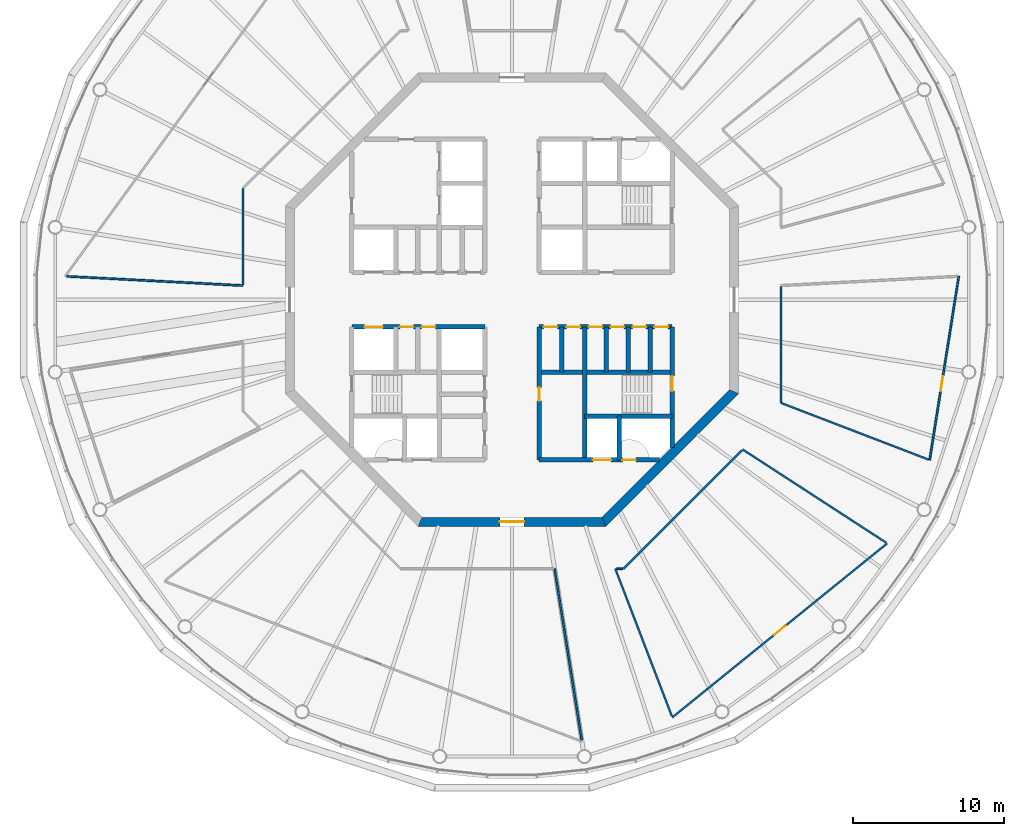
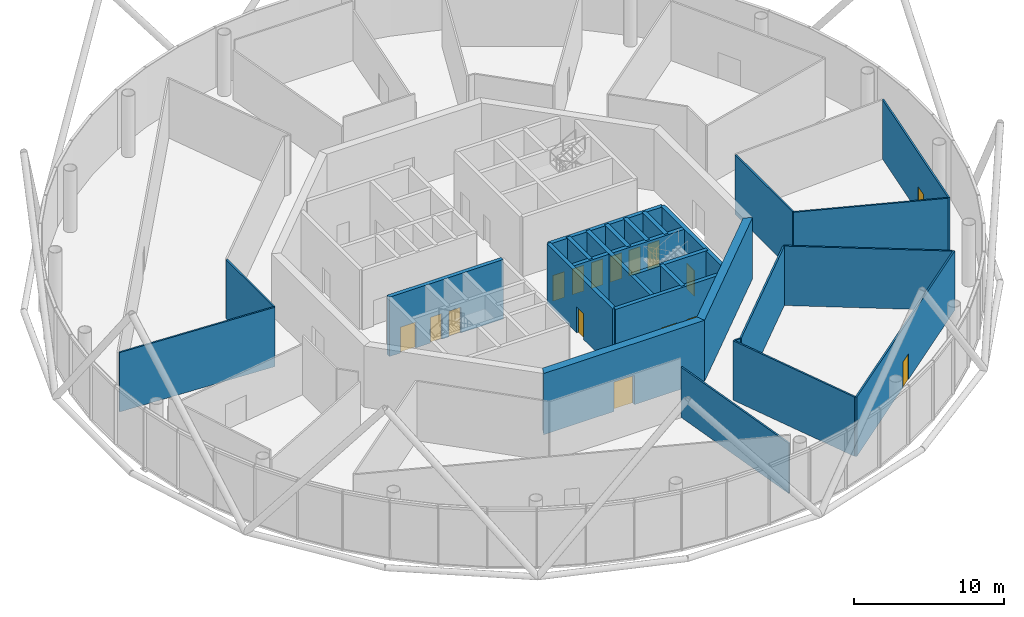
# One storey, part 4 of 13: 26 walls, 16 doors, 16 openings.
"""IFC4 building model written with IfcOpenShell, lengths in metres."""

import ifcopenshell
import ifcopenshell.guid

model = None  # the IFC model being written
_history = None  # IfcOwnerHistory: only IFC2X3 demands one
_inside = {}  # id of a spatial element -> (the spatial element, [elements in it])
_under = {}  # id of a project, library or spatial element -> (it, [spatial elements below it])
_declared = {}  # id of a project -> (the project, [libraries it declares])
_typed = {}  # id of a type object -> (the type object, [elements of that type])
_made_of = {}  # id of a material, layer set ... -> (it, [elements and type objects made of it])


def new_model(schema):
    """Start an empty IFC model of exactly this schema.

    Asked for "IFC4X3", IfcOpenShell would pick the latest addendum, in which some entities
    have other attributes; the version numbers below select the first issue.
    IFC2X3 requires an IfcOwnerHistory on every rooted entity: one is made here for all.
    """
    global model, _history
    if schema == "IFC4X3":
        model = ifcopenshell.file(schema_version=(4, 3, 0, 0))
    else:
        model = ifcopenshell.file(schema=schema)
    _inside.clear()
    _under.clear()
    _declared.clear()
    _typed.clear()
    _made_of.clear()
    _history = None
    if model.schema == "IFC2X3":
        org = make("IfcOrganization", Name="unknown")
        user = make(
            "IfcPersonAndOrganization",
            ThePerson=make("IfcPerson", FamilyName="unknown"),
            TheOrganization=org,
        )
        app = make(
            "IfcApplication",
            ApplicationDeveloper=org,
            Version="unknown",
            ApplicationFullName="unknown",
            ApplicationIdentifier="unknown",
        )
        _history = make(
            "IfcOwnerHistory",
            OwningUser=user,
            OwningApplication=app,
            ChangeAction="ADDED",
            CreationDate=0,
        )
    return model


def make(cls, **values):
    """One entity of the class cls with the attributes given. An attribute that is None is left unset."""
    return model.create_entity(
        cls, **{name: value for name, value in values.items() if value is not None}
    )


def rooted(cls, **values):
    """An entity with a GlobalId (a new one), such as an element, a storey or a relation."""
    return make(cls, GlobalId=ifcopenshell.guid.new(), OwnerHistory=_history, **values)


def si_unit(unit_type, name, prefix=None):
    """IfcSIUnit, for example si_unit("LENGTHUNIT", "METRE", prefix="MILLI")."""
    return make("IfcSIUnit", UnitType=unit_type, Prefix=prefix, Name=name)


def assignment(units):
    """IfcUnitAssignment: the units of a project."""
    return None if units is None else make("IfcUnitAssignment", Units=units)


def point(xyz):
    """IfcCartesianPoint."""
    return None if xyz is None else make("IfcCartesianPoint", Coordinates=xyz)


def direction(xyz):
    """IfcDirection."""
    return None if xyz is None else make("IfcDirection", DirectionRatios=xyz)


def frame(location, z_axis=None, x_axis=None):
    """IfcAxis2Placement3D, a coordinate frame: its origin and axes. An axis left out is left unset."""
    return make(
        "IfcAxis2Placement3D",
        Location=point(location),
        Axis=direction(z_axis),
        RefDirection=direction(x_axis),
    )


def frame_2d(location, x_axis=None):
    """IfcAxis2Placement2D, a coordinate frame in the plane: its origin and x axis."""
    return make(
        "IfcAxis2Placement2D", Location=point(location), RefDirection=direction(x_axis)
    )


def origin():
    """The frame at (0, 0, 0) with its axes left unset."""
    return frame((0.0, 0.0, 0.0))


def place(relative_to, where):
    """IfcLocalPlacement: puts the frame where relative to a parent placement (None: the world)."""
    return make(
        "IfcLocalPlacement", PlacementRelTo=relative_to, RelativePlacement=where
    )


def context(
    kind, dimensions, precision=None, world=None, true_north=None, identifier=None
):
    """IfcGeometricRepresentationContext, for example the 3D "Model" context."""
    return make(
        "IfcGeometricRepresentationContext",
        ContextIdentifier=identifier,
        ContextType=kind,
        CoordinateSpaceDimension=dimensions,
        Precision=precision,
        WorldCoordinateSystem=world,
        TrueNorth=true_north,
    )


def subcontext(parent, identifier, kind, view, scale=None):
    """IfcGeometricRepresentationSubContext, for example "Body" below "Model"."""
    return make(
        "IfcGeometricRepresentationSubContext",
        ContextIdentifier=identifier,
        ContextType=kind,
        ParentContext=parent,
        TargetScale=scale,
        TargetView=view,
    )


def project(units=None, contexts=None):
    """IfcProject with its units and contexts."""
    return rooted(
        "IfcProject",
        Name="project",
        RepresentationContexts=contexts,
        UnitsInContext=assignment(units),
    )


def spatial(cls, under=None, at=None, **own):
    """A site, building, storey or space (cls), placed at a placement, below another one or the project."""
    s = rooted(cls, ObjectPlacement=at, **own)
    if under is not None:
        _under.setdefault(under.id(), (under, []))[1].append(s)
    return s


def polyline(points):
    """IfcPolyline through the points."""
    return make("IfcPolyline", Points=[point(p) for p in points])


def profile(cls, at=None, kind="AREA", **sizes):
    """A parametric profile (cls). Its sizes go by their IFC names, for example OverallWidth=200.0."""
    return make(cls, ProfileType=kind, Position=at, **sizes)


def rectangle(**sizes):
    """IfcRectangleProfileDef."""
    return profile("IfcRectangleProfileDef", **sizes)


def outline(outer, holes=None, kind="AREA"):
    """IfcArbitraryClosedProfileDef: a profile drawn as a closed curve; with holes, ...WithVoids."""
    if holes is None:
        return make("IfcArbitraryClosedProfileDef", ProfileType=kind, OuterCurve=outer)
    return make(
        "IfcArbitraryProfileDefWithVoids",
        ProfileType=kind,
        OuterCurve=outer,
        InnerCurves=holes,
    )


def extrude(swept, where, along, depth):
    """IfcExtrudedAreaSolid: the profile swept, set in the frame where, extruded along a direction by depth."""
    return make(
        "IfcExtrudedAreaSolid",
        SweptArea=swept,
        Position=where,
        ExtrudedDirection=direction(along),
        Depth=depth,
    )


def shape(context_of_items, identifier, shape_type, items):
    """IfcShapeRepresentation: the items that make up one representation, for example the "Body"."""
    return make(
        "IfcShapeRepresentation",
        ContextOfItems=context_of_items,
        RepresentationIdentifier=identifier,
        RepresentationType=shape_type,
        Items=items,
    )


def material(Name=None, Category=None):
    """IfcMaterial."""
    return make("IfcMaterial", Name=Name, Category=Category)


def layer(
    of_material, thickness, ventilated=None, Name=None, Category=None, Priority=None
):
    """IfcMaterialLayer: one layer of a wall or slab, of a material (None: an air gap)."""
    return make(
        "IfcMaterialLayer",
        Material=of_material,
        LayerThickness=thickness,
        IsVentilated=ventilated,
        Name=Name,
        Category=Category,
        Priority=Priority,
    )


def layer_set(layers, Name=None):
    """IfcMaterialLayerSet."""
    return make("IfcMaterialLayerSet", MaterialLayers=layers, LayerSetName=Name)


def made_of(thing, what):
    """Note that an element or type object is made of a material, layer set ...; save() writes the relation."""
    if what is not None:
        _made_of.setdefault(what.id(), (what, []))[1].append(thing)
    return thing


def type_object(cls, material=None, **own):
    """A type object (cls), such as IfcWallType, which elements share."""
    return made_of(rooted(cls, **own), material)


def element(
    cls,
    number,
    at=None,
    inside=None,
    cuts=None,
    type_object=None,
    material=None,
    context=None,
    identifier="Body",
    shape_type=None,
    held_by="IfcProductDefinitionShape",
    body=None,
    shapes=None,
    **own,
):
    """One element of the class cls, such as IfcWall. Its Tag is "e" and its number.

    at: its placement. inside: the storey or other place that contains it. cuts: it is an
    opening in that element (IfcRelVoidsElement). A single representation is given by context,
    identifier, shape_type and body (its items); several are given by shapes. held_by: the class
    of the entity that holds the representations. save() writes the other relations.
    """
    e = rooted(cls, Tag="e%d" % number, ObjectPlacement=at, **own)
    if body is not None:
        shapes = [shape(context, identifier, shape_type, body)]
    if shapes is not None:
        e.Representation = make(held_by, Representations=shapes)
    if inside is not None:
        _inside.setdefault(inside.id(), (inside, []))[1].append(e)
    if cuts is not None:
        rooted(
            "IfcRelVoidsElement", RelatingBuildingElement=cuts, RelatedOpeningElement=e
        )
    if type_object is not None:
        _typed.setdefault(type_object.id(), (type_object, []))[1].append(e)
    return made_of(e, material)


def fill(opening, filler):
    """IfcRelFillsElement: the door or window that sits in an opening."""
    return rooted(
        "IfcRelFillsElement",
        RelatingOpeningElement=opening,
        RelatedBuildingElement=filler,
    )


def aggregate(whole, parts):
    """IfcRelAggregates: a whole, such as a stair, and the parts it consists of."""
    return rooted("IfcRelAggregates", RelatingObject=whole, RelatedObjects=parts)


def save(model, path):
    """Write the relations noted so far, then the file.

    IfcRelAggregates (storeys below a building ...), IfcRelContainedInSpatialStructure (elements
    in a storey), IfcRelDefinesByType, IfcRelAssociatesMaterial and IfcRelDeclares: one each for
    every whole, place, type object, material and project.
    """
    for whole, parts in _under.values():
        aggregate(whole, parts)
    for where, things in _inside.values():
        rooted(
            "IfcRelContainedInSpatialStructure",
            RelatedElements=things,
            RelatingStructure=where,
        )
    for kind, things in _typed.values():
        rooted("IfcRelDefinesByType", RelatedObjects=things, RelatingType=kind)
    for what, things in _made_of.values():
        rooted("IfcRelAssociatesMaterial", RelatedObjects=things, RelatingMaterial=what)
    for by, libraries in _declared.values():
        rooted("IfcRelDeclares", RelatingContext=by, RelatedDefinitions=libraries)
    model.write(path)


model = new_model("IFC4")

# Units and contexts
model_context = context("Model", 3, precision=1e-05, world=origin(), true_north=direction((0.0, 1.0)))
body_context = subcontext(model_context, "Body", "Model", "MODEL_VIEW")
ifc_project = project(units=[si_unit("LENGTHUNIT", "METRE"), si_unit("AREAUNIT", "SQUARE_METRE"), si_unit("VOLUMEUNIT", "CUBIC_METRE"), si_unit("PLANEANGLEUNIT", "RADIAN"), si_unit("MASSUNIT", "GRAM", prefix="KILO")], contexts=[model_context])

# Site, building, storey
site_placement = place(None, origin())
site = spatial("IfcSite", under=ifc_project, at=site_placement, CompositionType="ELEMENT")
building_placement = place(site_placement, origin())
building = spatial("IfcBuilding", under=site, at=building_placement, Name="Entoto Ring Tower", CompositionType="ELEMENT")
storey_placement = place(building_placement, frame((0.0, 0.0, 402.0)))
storey = spatial("IfcBuildingStorey", under=building, at=storey_placement, Name="L92", CompositionType="ELEMENT", Elevation=402.0)

# Wall, opening, door
ifc_material_1 = material(Name="Concrete C40/50", Category="concrete")
ifc_layer_1 = layer(ifc_material_1, 0.300048828125)
ifc_layer_set_1 = layer_set([ifc_layer_1], Name="Concrete C40/50")
wall_type_1 = type_object("IfcWallType", Name="Core enclosure wall 300 mm reinforced concrete", PredefinedType="SOLIDWALL", material=ifc_layer_set_1)
wall_1_placement = place(storey_placement, frame((100.60009765625, 70.2353515625, 0.0), z_axis=(0.0, 0.0, 1.0), x_axis=(0.0, 1.0, 0.0)))
wall_1 = element("IfcWall", 1, at=wall_1_placement, inside=storey, type_object=wall_type_1, Name="wall-L92-001", PredefinedType="SOLIDWALL", context=body_context, shape_type="SweptSolid", body=[
    extrude(rectangle(XDim=7.964599609375, YDim=0.300048828125, at=frame_2d((3.982421875, 0.0))), origin(), (0.0, 0.0, 1.0), 4.85009765625),
])
opening_1_placement = place(wall_1_placement, frame((3.714599609375, 0.0, 0.0)))
opening_1 = element("IfcOpeningElement", 2, at=opening_1_placement, cuts=wall_1, Name="Opening K-31", PredefinedType="OPENING", context=body_context, shape_type="SweptSolid", body=[
    extrude(rectangle(XDim=1.0, YDim=2.10009765625, at=frame_2d((0.5, 1.050048828125))), frame((0.0, 0.16015625, 0.0), z_axis=(0.0, -1.0, 0.0), x_axis=(1.0, 0.0, 0.0)), (0.0, 0.0, 1.0), 0.320068359375),
])
ifc_material_2 = material(Name="Steel door leaf, fire rated", Category="steel")
ifc_layer_2 = layer(ifc_material_2, 0.050048828125)
ifc_layer_set_2 = layer_set([ifc_layer_2], Name="Steel door leaf, fire rated")
door_type_1 = type_object("IfcDoorType", Name="Fire door FD60 1000 x 2100 single leaf", OperationType="NOTDEFINED", PredefinedType="DOOR", material=ifc_layer_set_2)
door_1_placement = place(opening_1_placement, origin())
door_1 = element("IfcDoor", 3, at=door_1_placement, inside=storey, type_object=door_type_1, Name="Door K-31", OperationType="SINGLE_SWING_RIGHT", OverallHeight=2.10009765625, OverallWidth=1.0, PredefinedType="DOOR", context=body_context, shape_type="SweptSolid", body=[
    extrude(rectangle(XDim=1.0, YDim=2.10009765625, at=frame_2d((0.5, 1.050048828125))), frame((0.0, 0.02490234375, 0.0), z_axis=(0.0, -1.0, 0.0), x_axis=(1.0, 0.0, 0.0)), (0.0, 0.0, 1.0), 0.050048828125),
])
fill(opening_1, door_1)

# Walls
for number, where, z_axis, x_axis, name in (
    (4, (99.14990234375, 75.199951171875, 0.0), (0.0, 0.0, 1.0), (0.0, 1.0, 0.0), "wall-L92-003"),
    (5, (97.699951171875, 75.199951171875, 0.0), (0.0, 0.0, 1.0), (0.0, 1.0, 0.0), "wall-L92-004"),
):
    element("IfcWall", number, at=place(storey_placement, frame(where, z_axis=z_axis, x_axis=x_axis)), inside=storey, type_object=wall_type_1, Name=name, PredefinedType="SOLIDWALL", context=body_context, shape_type="SweptSolid", body=[
        extrude(rectangle(XDim=3.0, YDim=0.300048828125, at=frame_2d((1.5, 0.0))), origin(), (0.0, 0.0, 1.0), 4.85009765625),
    ])
wall_2_placement = place(storey_placement, frame((97.10009765625, 69.39990234375, 0.0), z_axis=(0.0, 0.0, 1.0), x_axis=(0.0, 1.0, 0.0)))
element("IfcWall", 6, at=wall_2_placement, inside=storey, type_object=wall_type_1, Name="wall-L92-005", PredefinedType="SOLIDWALL", context=body_context, shape_type="SweptSolid", body=[
    extrude(rectangle(XDim=2.900146484375, YDim=0.300048828125, at=frame_2d((1.4501953125, 0.0))), origin(), (0.0, 0.0, 1.0), 4.85009765625),
])
wall_3_placement = place(storey_placement, frame((96.25, 75.199951171875, 0.0), z_axis=(0.0, 0.0, 1.0), x_axis=(0.0, 1.0, 0.0)))
element("IfcWall", 7, at=wall_3_placement, inside=storey, type_object=wall_type_1, Name="wall-L92-007", PredefinedType="SOLIDWALL", context=body_context, shape_type="SweptSolid", body=[
    extrude(rectangle(XDim=3.0, YDim=0.300048828125, at=frame_2d((1.5, 0.0))), origin(), (0.0, 0.0, 1.0), 4.85009765625),
])
wall_4_placement = place(storey_placement, frame((94.800048828125, 69.39990234375, 0.0), z_axis=(0.0, 0.0, 1.0), x_axis=(0.0, 1.0, 0.0)))
element("IfcWall", 8, at=wall_4_placement, inside=storey, type_object=wall_type_1, Name="wall-L92-008", PredefinedType="SOLIDWALL", context=body_context, shape_type="SweptSolid", body=[
    extrude(rectangle(XDim=8.800048828125, YDim=0.300048828125, at=frame_2d((4.39990234375, 0.0))), origin(), (0.0, 0.0, 1.0), 4.85009765625),
])
wall_5_placement = place(storey_placement, frame((93.300048828125, 75.199951171875, 0.0), z_axis=(0.0, 0.0, 1.0), x_axis=(0.0, 1.0, 0.0)))
element("IfcWall", 9, at=wall_5_placement, inside=storey, type_object=wall_type_1, Name="wall-L92-010", PredefinedType="SOLIDWALL", context=body_context, shape_type="SweptSolid", body=[
    extrude(rectangle(XDim=3.0, YDim=0.300048828125, at=frame_2d((1.5, 0.0))), origin(), (0.0, 0.0, 1.0), 4.85009765625),
])

# Wall, opening, door
wall_6_placement = place(storey_placement, frame((91.800048828125, 69.39990234375, 0.0), z_axis=(0.0, 0.0, 1.0), x_axis=(0.0, 1.0, 0.0)))
wall_6 = element("IfcWall", 10, at=wall_6_placement, inside=storey, type_object=wall_type_1, Name="wall-L92-011", PredefinedType="SOLIDWALL", context=body_context, shape_type="SweptSolid", body=[
    extrude(rectangle(XDim=8.800048828125, YDim=0.300048828125, at=frame_2d((4.39990234375, 0.0))), origin(), (0.0, 0.0, 1.0), 4.85009765625),
])
opening_2_placement = place(wall_6_placement, frame((3.89990234375, 0.0, 0.0)))
opening_2 = element("IfcOpeningElement", 11, at=opening_2_placement, cuts=wall_6, Name="Opening K-21", PredefinedType="OPENING", context=body_context, shape_type="SweptSolid", body=[
    extrude(rectangle(XDim=0.89990234375, YDim=2.10009765625, at=frame_2d((0.449951171875, 1.050048828125))), frame((0.0, 0.16015625, 0.0), z_axis=(0.0, -1.0, 0.0), x_axis=(1.0, 0.0, 0.0)), (0.0, 0.0, 1.0), 0.320068359375),
])
ifc_material_3 = material(Name="Steel door leaf, fire rated", Category="steel")
ifc_layer_3 = layer(ifc_material_3, 0.050048828125)
ifc_layer_set_3 = layer_set([ifc_layer_3], Name="Steel door leaf, fire rated")
door_type_2 = type_object("IfcDoorType", Name="Core door 900 x 2100 single leaf", OperationType="NOTDEFINED", PredefinedType="DOOR", material=ifc_layer_set_3)
door_2_placement = place(opening_2_placement, frame((0.89990234375, 0.0, 0.0), z_axis=(0.0, 0.0, 1.0), x_axis=(-1.0, 0.0, 0.0)))
door_2 = element("IfcDoor", 12, at=door_2_placement, inside=storey, type_object=door_type_2, Name="Door K-21", OperationType="SINGLE_SWING_LEFT", OverallHeight=2.10009765625, OverallWidth=0.89990234375, PredefinedType="DOOR", context=body_context, shape_type="SweptSolid", body=[
    extrude(rectangle(XDim=0.89990234375, YDim=2.10009765625, at=frame_2d((0.449951171875, 1.050048828125))), frame((0.0, 0.02490234375, 0.0), z_axis=(0.0, -1.0, 0.0), x_axis=(1.0, 0.0, 0.0)), (0.0, 0.0, 1.0), 0.050048828125),
])
fill(opening_2, door_2)

# Wall, openings, doors
wall_7_placement = place(storey_placement, frame((91.800048828125, 69.39990234375, 0.0), z_axis=(0.0, 0.0, 1.0), x_axis=(1.0, 0.0, 0.0)))
wall_7 = element("IfcWall", 13, at=wall_7_placement, inside=storey, type_object=wall_type_1, Name="wall-L92-026", PredefinedType="SOLIDWALL", context=body_context, shape_type="SweptSolid", body=[
    extrude(rectangle(XDim=7.964599609375, YDim=0.300048828125, at=frame_2d((3.982421875, 0.0))), origin(), (0.0, 0.0, 1.0), 4.85009765625),
])
opening_3_placement = place(wall_7_placement, frame((3.550048828125, 0.0, 0.0)))
opening_3 = element("IfcOpeningElement", 14, at=opening_3_placement, cuts=wall_7, Name="Opening LD", PredefinedType="OPENING", context=body_context, shape_type="SweptSolid", body=[
    extrude(rectangle(XDim=1.199951171875, YDim=2.10009765625, at=frame_2d((0.60009765625, 1.050048828125))), frame((0.0, 0.16015625, 0.0), z_axis=(0.0, -1.0, 0.0), x_axis=(1.0, 0.0, 0.0)), (0.0, 0.0, 1.0), 0.320068359375),
])
opening_4_placement = place(wall_7_placement, frame((5.5, 0.0, 0.0)))
opening_4 = element("IfcOpeningElement", 15, at=opening_4_placement, cuts=wall_7, Name="Opening K-34", PredefinedType="OPENING", context=body_context, shape_type="SweptSolid", body=[
    extrude(rectangle(XDim=0.89990234375, YDim=2.10009765625, at=frame_2d((0.449951171875, 1.050048828125))), frame((0.0, 0.16015625, 0.0), z_axis=(0.0, -1.0, 0.0), x_axis=(1.0, 0.0, 0.0)), (0.0, 0.0, 1.0), 0.320068359375),
])
ifc_material_4 = material(Name="Steel and glass door leaf", Category="steel")
ifc_layer_4 = layer(ifc_material_4, 0.050048828125)
ifc_layer_set_4 = layer_set([ifc_layer_4], Name="Steel and glass door leaf")
door_type_3 = type_object("IfcDoorType", Name="Landing door 1200 x 2100 sliding", OperationType="DOUBLE_DOOR_SLIDING", PredefinedType="DOOR", material=ifc_layer_set_4)
door_3_placement = place(opening_3_placement, origin())
door_3 = element("IfcDoor", 16, at=door_3_placement, inside=storey, type_object=door_type_3, Name="Landing door LB2-HR", OperationType="SLIDING_TO_RIGHT", OverallHeight=2.10009765625, OverallWidth=1.199951171875, PredefinedType="DOOR", context=body_context, shape_type="SweptSolid", body=[
    extrude(rectangle(XDim=1.199951171875, YDim=2.10009765625, at=frame_2d((0.60009765625, 1.050048828125))), frame((0.0, 0.02490234375, 0.0), z_axis=(0.0, -1.0, 0.0), x_axis=(1.0, 0.0, 0.0)), (0.0, 0.0, 1.0), 0.050048828125),
])
fill(opening_3, door_3)
ifc_material_5 = material(Name="Steel door leaf, fire rated", Category="steel")
ifc_layer_5 = layer(ifc_material_5, 0.050048828125)
ifc_layer_set_5 = layer_set([ifc_layer_5], Name="Steel door leaf, fire rated")
door_type_4 = type_object("IfcDoorType", Name="Riser door FD60 900 x 2100 single leaf", OperationType="NOTDEFINED", PredefinedType="DOOR", material=ifc_layer_set_5)
door_4_placement = place(opening_4_placement, origin())
door_4 = element("IfcDoor", 17, at=door_4_placement, inside=storey, type_object=door_type_4, Name="Door K-34", OperationType="SINGLE_SWING_LEFT", OverallHeight=2.10009765625, OverallWidth=0.89990234375, PredefinedType="DOOR", context=body_context, shape_type="SweptSolid", body=[
    extrude(rectangle(XDim=0.89990234375, YDim=2.10009765625, at=frame_2d((0.449951171875, 1.050048828125))), frame((0.0, 0.02490234375, 0.0), z_axis=(0.0, -1.0, 0.0), x_axis=(1.0, 0.0, 0.0)), (0.0, 0.0, 1.0), 0.050048828125),
])
fill(opening_4, door_4)

# Walls
wall_8_placement = place(storey_placement, frame((94.800048828125, 72.300048828125, 0.0), z_axis=(0.0, 0.0, 1.0), x_axis=(1.0, 0.0, 0.0)))
element("IfcWall", 18, at=wall_8_placement, inside=storey, type_object=wall_type_1, Name="wall-L92-028", PredefinedType="SOLIDWALL", context=body_context, shape_type="SweptSolid", body=[
    extrude(rectangle(XDim=5.800048828125, YDim=0.300048828125, at=frame_2d((2.89990234375, 0.0))), origin(), (0.0, 0.0, 1.0), 4.85009765625),
])
wall_9_placement = place(storey_placement, frame((91.800048828125, 75.199951171875, 0.0), z_axis=(0.0, 0.0, 1.0), x_axis=(1.0, 0.0, 0.0)))
element("IfcWall", 19, at=wall_9_placement, inside=storey, type_object=wall_type_1, Name="wall-L92-031", PredefinedType="SOLIDWALL", context=body_context, shape_type="SweptSolid", body=[
    extrude(rectangle(XDim=8.800048828125, YDim=0.300048828125, at=frame_2d((4.39990234375, 0.0))), origin(), (0.0, 0.0, 1.0), 4.85009765625),
])

# Wall, openings, doors
wall_10_placement = place(storey_placement, frame((79.39990234375, 78.199951171875, 0.0), z_axis=(0.0, 0.0, 1.0), x_axis=(1.0, 0.0, 0.0)))
wall_10 = element("IfcWall", 20, at=wall_10_placement, inside=storey, type_object=wall_type_1, Name="wall-L92-032", PredefinedType="SOLIDWALL", context=body_context, shape_type="SweptSolid", body=[
    extrude(rectangle(XDim=8.800048828125, YDim=0.300048828125, at=frame_2d((4.39990234375, 0.0))), origin(), (0.0, 0.0, 1.0), 4.85009765625),
])
opening_5_placement = place(wall_10_placement, frame((0.85009765625, 0.0, 0.0)))
opening_5 = element("IfcOpeningElement", 21, at=opening_5_placement, cuts=wall_10, Name="Opening LD", PredefinedType="OPENING", context=body_context, shape_type="SweptSolid", body=[
    extrude(rectangle(XDim=1.199951171875, YDim=2.10009765625, at=frame_2d((0.60009765625, 1.050048828125))), frame((0.0, 0.16015625, 0.0), z_axis=(0.0, -1.0, 0.0), x_axis=(1.0, 0.0, 0.0)), (0.0, 0.0, 1.0), 0.320068359375),
])
opening_6_placement = place(wall_10_placement, frame((3.175048828125, 0.0, 0.0)))
opening_6 = element("IfcOpeningElement", 22, at=opening_6_placement, cuts=wall_10, Name="Opening K-18", PredefinedType="OPENING", context=body_context, shape_type="SweptSolid", body=[
    extrude(rectangle(XDim=0.89990234375, YDim=2.10009765625, at=frame_2d((0.449951171875, 1.050048828125))), frame((0.0, 0.16015625, 0.0), z_axis=(0.0, -1.0, 0.0), x_axis=(1.0, 0.0, 0.0)), (0.0, 0.0, 1.0), 0.320068359375),
])
opening_7_placement = place(wall_10_placement, frame((4.625, 0.0, 0.0)))
opening_7 = element("IfcOpeningElement", 23, at=opening_7_placement, cuts=wall_10, Name="Opening K-19", PredefinedType="OPENING", context=body_context, shape_type="SweptSolid", body=[
    extrude(rectangle(XDim=0.89990234375, YDim=2.10009765625, at=frame_2d((0.449951171875, 1.050048828125))), frame((0.0, 0.16015625, 0.0), z_axis=(0.0, -1.0, 0.0), x_axis=(1.0, 0.0, 0.0)), (0.0, 0.0, 1.0), 0.320068359375),
])
door_5_placement = place(opening_6_placement, frame((0.89990234375, 0.0, 0.0), z_axis=(0.0, 0.0, 1.0), x_axis=(-1.0, 0.0, 0.0)))
door_5 = element("IfcDoor", 24, at=door_5_placement, inside=storey, type_object=door_type_2, Name="Door K-18", OperationType="SINGLE_SWING_LEFT", OverallHeight=2.10009765625, OverallWidth=0.89990234375, PredefinedType="DOOR", context=body_context, shape_type="SweptSolid", body=[
    extrude(rectangle(XDim=0.89990234375, YDim=2.10009765625, at=frame_2d((0.449951171875, 1.050048828125))), frame((0.0, 0.02490234375, 0.0), z_axis=(0.0, -1.0, 0.0), x_axis=(1.0, 0.0, 0.0)), (0.0, 0.0, 1.0), 0.050048828125),
])
fill(opening_6, door_5)
door_6_placement = place(opening_7_placement, frame((0.89990234375, 0.0, 0.0), z_axis=(0.0, 0.0, 1.0), x_axis=(-1.0, 0.0, 0.0)))
door_6 = element("IfcDoor", 25, at=door_6_placement, inside=storey, type_object=door_type_2, Name="Door K-19", OperationType="SINGLE_SWING_LEFT", OverallHeight=2.10009765625, OverallWidth=0.89990234375, PredefinedType="DOOR", context=body_context, shape_type="SweptSolid", body=[
    extrude(rectangle(XDim=0.89990234375, YDim=2.10009765625, at=frame_2d((0.449951171875, 1.050048828125))), frame((0.0, 0.02490234375, 0.0), z_axis=(0.0, -1.0, 0.0), x_axis=(1.0, 0.0, 0.0)), (0.0, 0.0, 1.0), 0.050048828125),
])
fill(opening_7, door_6)
door_7_placement = place(opening_5_placement, origin())
door_7 = element("IfcDoor", 26, at=door_7_placement, inside=storey, type_object=door_type_3, Name="Landing door SH2", OperationType="SLIDING_TO_RIGHT", OverallHeight=2.10009765625, OverallWidth=1.199951171875, PredefinedType="DOOR", context=body_context, shape_type="SweptSolid", body=[
    extrude(rectangle(XDim=1.199951171875, YDim=2.10009765625, at=frame_2d((0.60009765625, 1.050048828125))), frame((0.0, 0.02490234375, 0.0), z_axis=(0.0, -1.0, 0.0), x_axis=(1.0, 0.0, 0.0)), (0.0, 0.0, 1.0), 0.050048828125),
])
fill(opening_5, door_7)

wall_11_placement = place(storey_placement, frame((91.800048828125, 78.199951171875, 0.0), z_axis=(0.0, 0.0, 1.0), x_axis=(1.0, 0.0, 0.0)))
wall_11 = element("IfcWall", 27, at=wall_11_placement, inside=storey, type_object=wall_type_1, Name="wall-L92-033", PredefinedType="SOLIDWALL", context=body_context, shape_type="SweptSolid", body=[
    extrude(rectangle(XDim=8.800048828125, YDim=0.300048828125, at=frame_2d((4.39990234375, 0.0))), origin(), (0.0, 0.0, 1.0), 4.85009765625),
])
opening_8_placement = place(wall_11_placement, frame((3.27490234375, 0.0, 0.0)))
opening_8 = element("IfcOpeningElement", 28, at=opening_8_placement, cuts=wall_11, Name="Opening K-14", PredefinedType="OPENING", context=body_context, shape_type="SweptSolid", body=[
    extrude(rectangle(XDim=0.89990234375, YDim=2.10009765625, at=frame_2d((0.449951171875, 1.050048828125))), frame((0.0, 0.16015625, 0.0), z_axis=(0.0, -1.0, 0.0), x_axis=(1.0, 0.0, 0.0)), (0.0, 0.0, 1.0), 0.320068359375),
])
opening_9_placement = place(wall_11_placement, frame((4.72509765625, 0.0, 0.0)))
opening_9 = element("IfcOpeningElement", 29, at=opening_9_placement, cuts=wall_11, Name="Opening K-15", PredefinedType="OPENING", context=body_context, shape_type="SweptSolid", body=[
    extrude(rectangle(XDim=0.89990234375, YDim=2.10009765625, at=frame_2d((0.449951171875, 1.050048828125))), frame((0.0, 0.16015625, 0.0), z_axis=(0.0, -1.0, 0.0), x_axis=(1.0, 0.0, 0.0)), (0.0, 0.0, 1.0), 0.320068359375),
])
opening_10_placement = place(wall_11_placement, frame((6.175048828125, 0.0, 0.0)))
opening_10 = element("IfcOpeningElement", 30, at=opening_10_placement, cuts=wall_11, Name="Opening K-16", PredefinedType="OPENING", context=body_context, shape_type="SweptSolid", body=[
    extrude(rectangle(XDim=0.89990234375, YDim=2.10009765625, at=frame_2d((0.449951171875, 1.050048828125))), frame((0.0, 0.16015625, 0.0), z_axis=(0.0, -1.0, 0.0), x_axis=(1.0, 0.0, 0.0)), (0.0, 0.0, 1.0), 0.320068359375),
])
opening_11_placement = place(wall_11_placement, frame((7.625, 0.0, 0.0)))
opening_11 = element("IfcOpeningElement", 31, at=opening_11_placement, cuts=wall_11, Name="Opening K-57", PredefinedType="OPENING", context=body_context, shape_type="SweptSolid", body=[
    extrude(rectangle(XDim=0.89990234375, YDim=2.10009765625, at=frame_2d((0.449951171875, 1.050048828125))), frame((0.0, 0.16015625, 0.0), z_axis=(0.0, -1.0, 0.0), x_axis=(1.0, 0.0, 0.0)), (0.0, 0.0, 1.0), 0.320068359375),
])
opening_12_placement = place(wall_11_placement, frame((0.300048828125, 0.0, 0.0)))
opening_12 = element("IfcOpeningElement", 32, at=opening_12_placement, cuts=wall_11, Name="Opening K-79", PredefinedType="OPENING", context=body_context, shape_type="SweptSolid", body=[
    extrude(rectangle(XDim=0.89990234375, YDim=2.10009765625, at=frame_2d((0.449951171875, 1.050048828125))), frame((0.0, 0.16015625, 0.0), z_axis=(0.0, -1.0, 0.0), x_axis=(1.0, 0.0, 0.0)), (0.0, 0.0, 1.0), 0.320068359375),
])
opening_13_placement = place(wall_11_placement, frame((1.800048828125, 0.0, 0.0)))
opening_13 = element("IfcOpeningElement", 33, at=opening_13_placement, cuts=wall_11, Name="Opening K-81", PredefinedType="OPENING", context=body_context, shape_type="SweptSolid", body=[
    extrude(rectangle(XDim=0.89990234375, YDim=2.10009765625, at=frame_2d((0.449951171875, 1.050048828125))), frame((0.0, 0.16015625, 0.0), z_axis=(0.0, -1.0, 0.0), x_axis=(1.0, 0.0, 0.0)), (0.0, 0.0, 1.0), 0.320068359375),
])
door_8_placement = place(opening_8_placement, frame((0.89990234375, 0.0, 0.0), z_axis=(0.0, 0.0, 1.0), x_axis=(-1.0, 0.0, 0.0)))
door_8 = element("IfcDoor", 34, at=door_8_placement, inside=storey, type_object=door_type_2, Name="Door K-14", OperationType="SINGLE_SWING_LEFT", OverallHeight=2.10009765625, OverallWidth=0.89990234375, PredefinedType="DOOR", context=body_context, shape_type="SweptSolid", body=[
    extrude(rectangle(XDim=0.89990234375, YDim=2.10009765625, at=frame_2d((0.449951171875, 1.050048828125))), frame((0.0, 0.02490234375, 0.0), z_axis=(0.0, -1.0, 0.0), x_axis=(1.0, 0.0, 0.0)), (0.0, 0.0, 1.0), 0.050048828125),
])
fill(opening_8, door_8)
door_9_placement = place(opening_9_placement, frame((0.89990234375, 0.0, 0.0), z_axis=(0.0, 0.0, 1.0), x_axis=(-1.0, 0.0, 0.0)))
door_9 = element("IfcDoor", 35, at=door_9_placement, inside=storey, type_object=door_type_2, Name="Door K-15", OperationType="SINGLE_SWING_RIGHT", OverallHeight=2.10009765625, OverallWidth=0.89990234375, PredefinedType="DOOR", context=body_context, shape_type="SweptSolid", body=[
    extrude(rectangle(XDim=0.89990234375, YDim=2.10009765625, at=frame_2d((0.449951171875, 1.050048828125))), frame((0.0, 0.02490234375, 0.0), z_axis=(0.0, -1.0, 0.0), x_axis=(1.0, 0.0, 0.0)), (0.0, 0.0, 1.0), 0.050048828125),
])
fill(opening_9, door_9)
door_10_placement = place(opening_10_placement, frame((0.89990234375, 0.0, 0.0), z_axis=(0.0, 0.0, 1.0), x_axis=(-1.0, 0.0, 0.0)))
door_10 = element("IfcDoor", 36, at=door_10_placement, inside=storey, type_object=door_type_2, Name="Door K-16", OperationType="SINGLE_SWING_RIGHT", OverallHeight=2.10009765625, OverallWidth=0.89990234375, PredefinedType="DOOR", context=body_context, shape_type="SweptSolid", body=[
    extrude(rectangle(XDim=0.89990234375, YDim=2.10009765625, at=frame_2d((0.449951171875, 1.050048828125))), frame((0.0, 0.02490234375, 0.0), z_axis=(0.0, -1.0, 0.0), x_axis=(1.0, 0.0, 0.0)), (0.0, 0.0, 1.0), 0.050048828125),
])
fill(opening_10, door_10)
door_11_placement = place(opening_11_placement, frame((0.89990234375, 0.0, 0.0), z_axis=(0.0, 0.0, 1.0), x_axis=(-1.0, 0.0, 0.0)))
door_11 = element("IfcDoor", 37, at=door_11_placement, inside=storey, type_object=door_type_2, Name="Door K-57", OperationType="SINGLE_SWING_RIGHT", OverallHeight=2.10009765625, OverallWidth=0.89990234375, PredefinedType="DOOR", context=body_context, shape_type="SweptSolid", body=[
    extrude(rectangle(XDim=0.89990234375, YDim=2.10009765625, at=frame_2d((0.449951171875, 1.050048828125))), frame((0.0, 0.02490234375, 0.0), z_axis=(0.0, -1.0, 0.0), x_axis=(1.0, 0.0, 0.0)), (0.0, 0.0, 1.0), 0.050048828125),
])
fill(opening_11, door_11)
door_12_placement = place(opening_12_placement, frame((0.89990234375, 0.0, 0.0), z_axis=(0.0, 0.0, 1.0), x_axis=(-1.0, 0.0, 0.0)))
door_12 = element("IfcDoor", 38, at=door_12_placement, inside=storey, type_object=door_type_2, Name="Door K-79", OperationType="SINGLE_SWING_RIGHT", OverallHeight=2.10009765625, OverallWidth=0.89990234375, PredefinedType="DOOR", context=body_context, shape_type="SweptSolid", body=[
    extrude(rectangle(XDim=0.89990234375, YDim=2.10009765625, at=frame_2d((0.449951171875, 1.050048828125))), frame((0.0, 0.02490234375, 0.0), z_axis=(0.0, -1.0, 0.0), x_axis=(1.0, 0.0, 0.0)), (0.0, 0.0, 1.0), 0.050048828125),
])
fill(opening_12, door_12)
door_13_placement = place(opening_13_placement, frame((0.89990234375, 0.0, 0.0), z_axis=(0.0, 0.0, 1.0), x_axis=(-1.0, 0.0, 0.0)))
door_13 = element("IfcDoor", 39, at=door_13_placement, inside=storey, type_object=door_type_2, Name="Door K-81", OperationType="SINGLE_SWING_RIGHT", OverallHeight=2.10009765625, OverallWidth=0.89990234375, PredefinedType="DOOR", context=body_context, shape_type="SweptSolid", body=[
    extrude(rectangle(XDim=0.89990234375, YDim=2.10009765625, at=frame_2d((0.449951171875, 1.050048828125))), frame((0.0, 0.02490234375, 0.0), z_axis=(0.0, -1.0, 0.0), x_axis=(1.0, 0.0, 0.0)), (0.0, 0.0, 1.0), 0.050048828125),
])
fill(opening_13, door_13)

# Wall, opening, door
ifc_material_6 = material(Name="Concrete C40/50", Category="concrete")
ifc_layer_6 = layer(ifc_material_6, 0.60009765625)
ifc_layer_set_6 = layer_set([ifc_layer_6], Name="Concrete C40/50")
wall_type_2 = type_object("IfcWallType", Name="Core shear wall 600 mm reinforced concrete C40/50", PredefinedType="SHEAR", material=ifc_layer_set_6)
wall_12_placement = place(storey_placement, frame((83.9111328125, 65.300048828125, 0.0), z_axis=(0.0, 0.0, 1.0), x_axis=(1.0, 0.0, 0.0)))
wall_12 = element("IfcWall", 40, at=wall_12_placement, inside=storey, type_object=wall_type_2, Name="wall-L92-core-6", PredefinedType="SHEAR", context=body_context, shape_type="SweptSolid", body=[
    extrude(outline(polyline([(-0.124267578125, -0.300048828125), (12.302001953125, -0.300048828125), (12.053466796875, 0.300048828125), (0.124267578125, 0.300048828125), (-0.124267578125, -0.300048828125)])), origin(), (0.0, 0.0, 1.0), 5.0),
])
opening_14_placement = place(wall_12_placement, frame((5.288818359375, 0.0, 0.0)))
opening_14 = element("IfcOpeningElement", 41, at=opening_14_placement, cuts=wall_12, Name="Opening K-04", PredefinedType="OPENING", context=body_context, shape_type="SweptSolid", body=[
    extrude(rectangle(XDim=1.60009765625, YDim=2.39990234375, at=frame_2d((0.800048828125, 1.199951171875))), frame((0.0, 0.31005859375, 0.0), z_axis=(0.0, -1.0, 0.0), x_axis=(1.0, 0.0, 0.0)), (0.0, 0.0, 1.0), 0.6201171875),
])
ifc_material_7 = material(Name="Steel door leaf, fire rated", Category="steel")
ifc_layer_7 = layer(ifc_material_7, 0.050048828125)
ifc_layer_set_7 = layer_set([ifc_layer_7], Name="Steel door leaf, fire rated")
door_type_5 = type_object("IfcDoorType", Name="Entrance door FD60 1600 x 2400 double leaf", OperationType="DOUBLE_DOOR_SINGLE_SWING", PredefinedType="DOOR", material=ifc_layer_set_7)
door_14_placement = place(opening_14_placement, origin())
door_14 = element("IfcDoor", 42, at=door_14_placement, inside=storey, type_object=door_type_5, Name="Entrance door K-04", OperationType="DOUBLE_DOOR_SINGLE_SWING", OverallHeight=2.39990234375, OverallWidth=1.60009765625, PredefinedType="DOOR", context=body_context, shape_type="SweptSolid", body=[
    extrude(rectangle(XDim=1.60009765625, YDim=2.39990234375, at=frame_2d((0.800048828125, 1.199951171875))), frame((0.0, 0.02490234375, 0.0), z_axis=(0.0, -1.0, 0.0), x_axis=(1.0, 0.0, 0.0)), (0.0, 0.0, 1.0), 0.050048828125),
])
fill(opening_14, door_14)

# Wall
wall_13_placement = place(storey_placement, frame((96.0888671875, 65.300048828125, 0.0), z_axis=(0.0, 0.0, 1.0), x_axis=(0.707106781187, 0.707106781187, 0.0)))
element("IfcWall", 43, at=wall_13_placement, inside=storey, type_object=wall_type_2, Name="wall-L92-core-7", PredefinedType="SHEAR", context=body_context, shape_type="SweptSolid", body=[
    extrude(outline(polyline([(-0.124267578125, -0.300048828125), (12.30224609375, -0.300048828125), (12.0537109375, 0.300048828125), (0.124267578125, 0.300048828125), (-0.124267578125, -0.300048828125)])), origin(), (0.0, 0.0, 1.0), 5.0),
])

# Wall, opening, door
ifc_material_8 = material(Name="Fire-resisting plasterboard on steel studs", Category="steel")
ifc_layer_8 = layer(ifc_material_8, 0.125)
ifc_layer_set_8 = layer_set([ifc_layer_8], Name="Fire-resisting plasterboard on steel studs")
wall_type_3 = type_object("IfcWallType", Name="Corridor wall 125 mm one-hour plasterboard on steel studs", PredefinedType="PARTITIONING", material=ifc_layer_set_8)
wall_14_placement = place(storey_placement, frame((100.607666015625, 52.365966796875, 0.0), z_axis=(0.0, 0.0, 1.0), x_axis=(0.777146964024, 0.629319152981, 0.0)))
wall_14 = element("IfcWall", 44, at=wall_14_placement, inside=storey, type_object=wall_type_3, Name="partition-L92-003", PredefinedType="PARTITIONING", context=body_context, shape_type="SweptSolid", body=[
    extrude(rectangle(XDim=18.2939453125, YDim=0.125, at=frame_2d((9.14697265625, 0.0))), origin(), (0.0, 0.0, 1.0), 4.85009765625),
])
opening_15_placement = place(wall_14_placement, frame((8.64697265625, 0.0, 0.0)))
opening_15 = element("IfcOpeningElement", 45, at=opening_15_placement, cuts=wall_14, Name="Opening A40-D07", PredefinedType="OPENING", context=body_context, shape_type="SweptSolid", body=[
    extrude(rectangle(XDim=1.0, YDim=2.10009765625, at=frame_2d((0.5, 1.050048828125))), frame((0.0, 0.072509765625, 0.0), z_axis=(0.0, -1.0, 0.0), x_axis=(1.0, 0.0, 0.0)), (0.0, 0.0, 1.0), 0.14501953125),
])
ifc_material_9 = material(Name="Fire-resisting timber door set", Category="wood")
door_type_6 = type_object("IfcDoorType", Name="Door 1000 x 2100 single leaf FD30S fire door", OperationType="NOTDEFINED", PredefinedType="DOOR", material=ifc_material_9)
door_15_placement = place(opening_15_placement, origin())
door_15 = element("IfcDoor", 46, at=door_15_placement, inside=storey, type_object=door_type_6, Name="Door A40-D07", OperationType="SINGLE_SWING_RIGHT", OverallHeight=2.10009765625, OverallWidth=1.0, PredefinedType="DOOR", context=body_context, shape_type="SweptSolid", body=[
    extrude(rectangle(XDim=1.0, YDim=2.10009765625, at=frame_2d((0.5, 1.050048828125))), frame((0.0, 0.02490234375, 0.0), z_axis=(0.0, -1.0, 0.0), x_axis=(1.0, 0.0, 0.0)), (0.0, 0.0, 1.0), 0.050048828125),
])
fill(opening_15, door_15)

wall_15_placement = place(storey_placement, frame((117.634033203125, 69.392333984375, 0.0), z_axis=(0.0, 0.0, 1.0), x_axis=(0.156422955164, 0.987690163512, 0.0)))
wall_15 = element("IfcWall", 47, at=wall_15_placement, inside=storey, type_object=wall_type_3, Name="partition-L92-006", PredefinedType="PARTITIONING", context=body_context, shape_type="SweptSolid", body=[
    extrude(rectangle(XDim=12.308349609375, YDim=0.125, at=frame_2d((6.154296875, 0.0))), origin(), (0.0, 0.0, 1.0), 4.85009765625),
])
opening_16_placement = place(wall_15_placement, frame((4.61328125, 0.0, 0.0)))
opening_16 = element("IfcOpeningElement", 48, at=opening_16_placement, cuts=wall_15, Name="Opening A40-D08", PredefinedType="OPENING", context=body_context, shape_type="SweptSolid", body=[
    extrude(rectangle(XDim=1.0, YDim=2.10009765625, at=frame_2d((0.5, 1.050048828125))), frame((0.0, 0.072509765625, 0.0), z_axis=(0.0, -1.0, 0.0), x_axis=(1.0, 0.0, 0.0)), (0.0, 0.0, 1.0), 0.14501953125),
])
door_16_placement = place(opening_16_placement, origin())
door_16 = element("IfcDoor", 49, at=door_16_placement, inside=storey, type_object=door_type_6, Name="Door A40-D08", OperationType="SINGLE_SWING_LEFT", OverallHeight=2.10009765625, OverallWidth=1.0, PredefinedType="DOOR", context=body_context, shape_type="SweptSolid", body=[
    extrude(rectangle(XDim=1.0, YDim=2.10009765625, at=frame_2d((0.5, 1.050048828125))), frame((0.0, 0.02490234375, 0.0), z_axis=(0.0, -1.0, 0.0), x_axis=(1.0, 0.0, 0.0)), (0.0, 0.0, 1.0), 0.050048828125),
])
fill(opening_16, door_16)

# Walls
wall_16_placement = place(storey_placement, frame((72.199951171875, 80.932861328125, 0.0), z_axis=(0.0, 0.0, 1.0), x_axis=(-0.998629142364, 0.05234344297, 0.0)))
element("IfcWall", 50, at=wall_16_placement, inside=storey, type_object=wall_type_3, Name="partition-L92-007", PredefinedType="PARTITIONING", context=body_context, shape_type="SweptSolid", body=[
    extrude(rectangle(XDim=11.660400390625, YDim=0.125, at=frame_2d((5.830078125, 0.0))), origin(), (0.0, 0.0, 1.0), 4.85009765625),
])
wall_17_placement = place(storey_placement, frame((114.752685546875, 63.925537109375, 0.0), z_axis=(0.0, 0.0, 1.0), x_axis=(-0.838677664783, 0.544628106687, 0.0)))
element("IfcWall", 51, at=wall_17_placement, inside=storey, type_object=wall_type_3, Name="partition-L92-016", PredefinedType="PARTITIONING", context=body_context, shape_type="SweptSolid", body=[
    extrude(rectangle(XDim=11.316650390625, YDim=0.125, at=frame_2d((5.658203125, 0.0))), origin(), (0.0, 0.0, 1.0), 4.85009765625),
])
wall_18_placement = place(storey_placement, frame((97.373046875, 62.199951171875, 0.0), z_axis=(0.0, 0.0, 1.0), x_axis=(0.707106781187, 0.707106781187, 0.0)))
element("IfcWall", 52, at=wall_18_placement, inside=storey, type_object=wall_type_3, Name="partition-L92-018", PredefinedType="PARTITIONING", context=body_context, shape_type="SweptSolid", body=[
    extrude(rectangle(XDim=11.095458984375, YDim=0.125, at=frame_2d((5.5478515625, 0.0))), origin(), (0.0, 0.0, 1.0), 4.85009765625),
])
wall_19_placement = place(storey_placement, frame((100.576904296875, 52.4462890625, 0.0), z_axis=(0.0, 0.0, 1.0), x_axis=(-0.358372999254, 0.93357848808, 0.0)))
element("IfcWall", 53, at=wall_19_placement, inside=storey, type_object=wall_type_3, Name="partition-L92-022", PredefinedType="PARTITIONING", context=body_context, shape_type="SweptSolid", body=[
    extrude(rectangle(XDim=10.447509765625, YDim=0.125, at=frame_2d((5.2236328125, 0.0))), origin(), (0.0, 0.0, 1.0), 4.85009765625),
])
wall_20_placement = place(storey_placement, frame((117.56201171875, 69.419921875, 0.0), z_axis=(0.0, 0.0, 1.0), x_axis=(-0.933578891066, 0.358371949455, 0.0)))
element("IfcWall", 54, at=wall_20_placement, inside=storey, type_object=wall_type_3, Name="partition-L92-023", PredefinedType="PARTITIONING", context=body_context, shape_type="SweptSolid", body=[
    extrude(rectangle(XDim=10.45654296875, YDim=0.125, at=frame_2d((5.228271484375, 0.0))), origin(), (0.0, 0.0, 1.0), 4.85009765625),
])
wall_21_placement = place(storey_placement, frame((107.800048828125, 73.225341796875, 0.0), z_axis=(0.0, 0.0, 1.0), x_axis=(0.0, 1.0, 0.0)))
element("IfcWall", 55, at=wall_21_placement, inside=storey, type_object=wall_type_3, Name="partition-L92-029", PredefinedType="PARTITIONING", context=body_context, shape_type="SweptSolid", body=[
    extrude(rectangle(XDim=7.64501953125, YDim=0.125, at=frame_2d((3.822509765625, 0.0))), origin(), (0.0, 0.0, 1.0), 4.85009765625),
])
wall_22_placement = place(storey_placement, frame((72.199951171875, 80.998779296875, 0.0), z_axis=(0.0, 0.0, 1.0), x_axis=(0.0, 1.0, 0.0)))
element("IfcWall", 56, at=wall_22_placement, inside=storey, type_object=wall_type_3, Name="partition-L92-030", PredefinedType="PARTITIONING", context=body_context, shape_type="SweptSolid", body=[
    extrude(rectangle(XDim=6.330322265625, YDim=0.125, at=frame_2d((3.1650390625, 0.0))), origin(), (0.0, 0.0, 1.0), 4.85009765625),
])
wall_23_placement = place(storey_placement, frame((96.923583984375, 62.199951171875, 0.0), z_axis=(0.0, 0.0, 1.0), x_axis=(1.0, 0.0, 0.0)))
element("IfcWall", 57, at=wall_23_placement, inside=storey, type_object=wall_type_3, Name="partition-L92-038", PredefinedType="PARTITIONING", context=body_context, shape_type="SweptSolid", body=[
    extrude(rectangle(XDim=0.405517578125, YDim=0.125, at=frame_2d((0.20263671875, 0.0))), origin(), (0.0, 0.0, 1.0), 4.85009765625),
])
ifc_material_10 = material(Name="Fire-resisting plasterboard on steel studs", Category="steel")
ifc_layer_9 = layer(ifc_material_10, 0.125)
ifc_layer_set_9 = layer_set([ifc_layer_9], Name="Fire-resisting plasterboard on steel studs")
wall_type_4 = type_object("IfcWallType", Name="Corridor wall 125 mm one-hour plasterboard on steel studs, 4097 mm high", PredefinedType="PARTITIONING", material=ifc_layer_set_9)
wall_24_placement = place(storey_placement, frame((94.613525390625, 50.87109375, 0.0), z_axis=(0.0, 0.0, 1.0), x_axis=(-0.156444573318, 0.987686739548, 0.0)))
element("IfcWall", 58, at=wall_24_placement, inside=storey, type_object=wall_type_4, Name="partition-L92-015", PredefinedType="PARTITIONING", context=body_context, shape_type="SweptSolid", body=[
    extrude(rectangle(XDim=11.469970703125, YDim=0.125, at=frame_2d((5.73486328125, 0.0))), origin(), (0.0, 0.0, 1.0), 4.096923828125),
])

save(model, "model.ifc")
